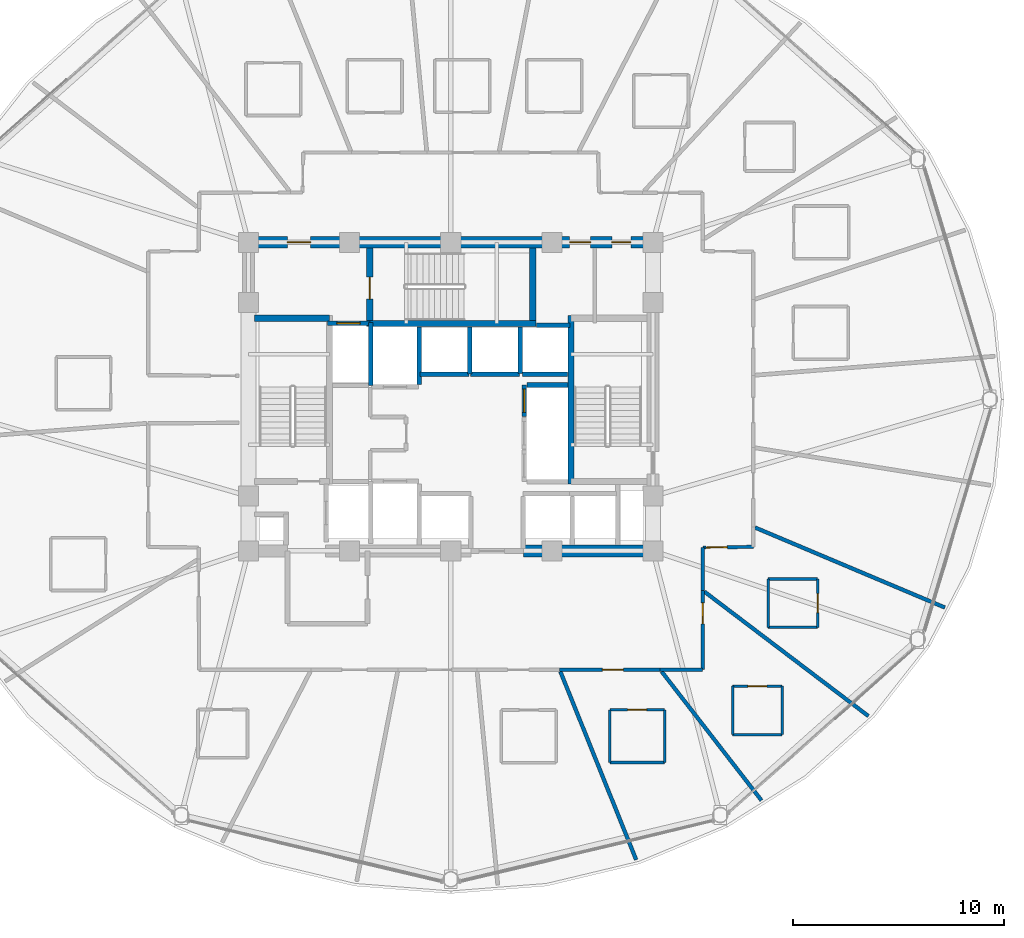
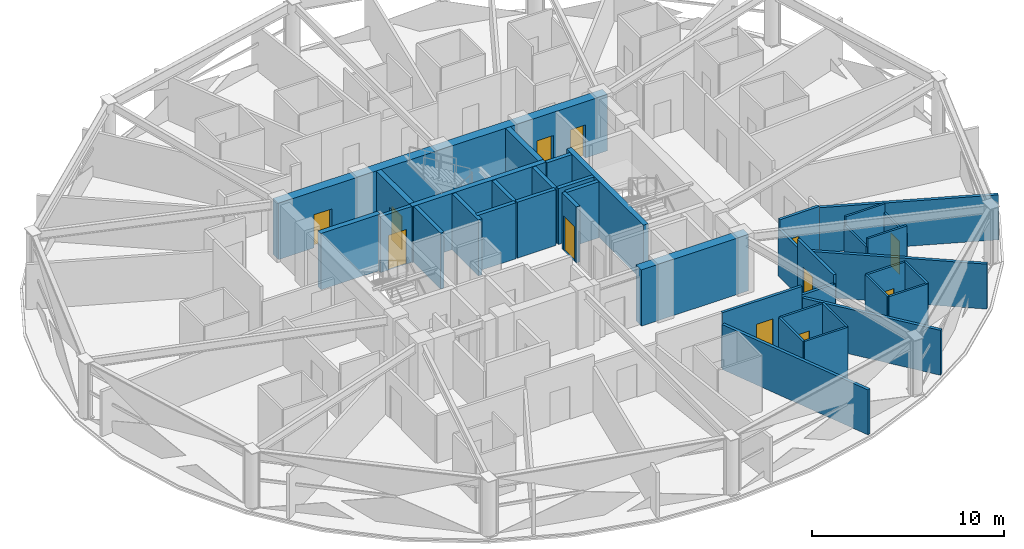
# One storey, part 26 of 32: 39 walls, 12 doors, 12 openings.
"""IFC4 building model written with IfcOpenShell, lengths in metres."""

from ifc_helpers import new_model, si_unit, direction, frame, frame_2d, origin, place, context, subcontext, project, spatial, rectangle, extrude, material, layer, layer_set, type_object, element, fill, save


model = new_model("IFC4")

# Units and contexts
model_context = context("Model", 3, precision=1e-05, world=origin(), true_north=direction((0.0, 1.0)))
body_context = subcontext(model_context, "Body", "Model", "MODEL_VIEW")
ifc_project = project(units=[si_unit("LENGTHUNIT", "METRE"), si_unit("AREAUNIT", "SQUARE_METRE"), si_unit("VOLUMEUNIT", "CUBIC_METRE"), si_unit("PLANEANGLEUNIT", "RADIAN"), si_unit("MASSUNIT", "GRAM", prefix="KILO")], contexts=[model_context])

# Site, building, storey
site_placement = place(None, origin())
site = spatial("IfcSite", under=ifc_project, at=site_placement, CompositionType="ELEMENT")
building_placement = place(site_placement, origin())
building = spatial("IfcBuilding", under=site, at=building_placement, Name="Vantalir Tower", CompositionType="ELEMENT")
storey_placement = place(building_placement, frame((0.0, 0.0, 108.449951171875)))
storey = spatial("IfcBuildingStorey", under=building, at=storey_placement, Name="L26", CompositionType="ELEMENT", Elevation=108.449951171875)

# Wall
ifc_material_1 = material(Name="Moisture-resistant en-suite partition", Category="gypsum")
ifc_layer_1 = layer(ifc_material_1, 0.125)
ifc_layer_set_1 = layer_set([ifc_layer_1], Name="Moisture-resistant en-suite partition")
wall_type_1 = type_object("IfcWallType", Name="WL-BATH-125", PredefinedType="PARTITIONING", material=ifc_layer_set_1)
wall_1_placement = place(storey_placement, frame((39.052001953125, 7.756103515625, 0.0), z_axis=(0.0, 0.0, 1.0), x_axis=(1.0, 0.0, 0.0)))
element("IfcWall", 1, at=wall_1_placement, inside=storey, type_object=wall_type_1, Name="L26 En-suite 17 South Wall", PredefinedType="PARTITIONING", context=body_context, shape_type="SweptSolid", body=[
    extrude(rectangle(XDim=2.60009765625, YDim=0.125, at=frame_2d((1.300048828125, 0.0))), origin(), (0.0, 0.0, 1.0), 3.550048828125),
])

# Wall, opening, door
wall_2_placement = place(storey_placement, frame((39.052001953125, 10.256103515625, 0.0), z_axis=(0.0, 0.0, 1.0), x_axis=(1.0, 0.0, 0.0)))
wall_2 = element("IfcWall", 2, at=wall_2_placement, inside=storey, type_object=wall_type_1, Name="L26 En-suite 17 North Wall", PredefinedType="PARTITIONING", context=body_context, shape_type="SweptSolid", body=[
    extrude(rectangle(XDim=2.60009765625, YDim=0.125, at=frame_2d((1.300048828125, 0.0))), origin(), (0.0, 0.0, 1.0), 3.550048828125),
])
opening_1_placement = place(wall_2_placement, frame((0.85009765625, 0.0, 0.0)))
opening_1 = element("IfcOpeningElement", 3, at=opening_1_placement, cuts=wall_2, Name="Opening D-WC", PredefinedType="OPENING", context=body_context, shape_type="SweptSolid", body=[
    extrude(rectangle(XDim=0.89990234375, YDim=2.10009765625, at=frame_2d((0.449951171875, 1.050048828125))), frame((0.0, 0.072509765625, 0.0), z_axis=(0.0, -1.0, 0.0), x_axis=(1.0, 0.0, 0.0)), (0.0, 0.0, 1.0), 0.14501953125),
])
ifc_material_2 = material(Name="Moisture-resistant hardwood door", Category="wood")
door_type_1 = type_object("IfcDoorType", Name="DR-ENSUITE-900", OperationType="NOTDEFINED", PredefinedType="DOOR", material=ifc_material_2)
door_1_placement = place(opening_1_placement, frame((0.89990234375, 0.0, 0.0), z_axis=(0.0, 0.0, 1.0), x_axis=(-1.0, 0.0, 0.0)))
door_1 = element("IfcDoor", 4, at=door_1_placement, inside=storey, type_object=door_type_1, Name="L26 En-suite 17 Door", OperationType="SINGLE_SWING_RIGHT", OverallHeight=2.10009765625, OverallWidth=0.89990234375, PredefinedType="DOOR", context=body_context, shape_type="SweptSolid", body=[
    extrude(rectangle(XDim=0.89990234375, YDim=2.10009765625, at=frame_2d((0.449951171875, 1.050048828125))), frame((0.0, 0.02490234375, 0.0), z_axis=(0.0, -1.0, 0.0), x_axis=(1.0, 0.0, 0.0)), (0.0, 0.0, 1.0), 0.050048828125),
])
fill(opening_1, door_1)

# Walls
for number, where, z_axis, x_axis, name in (
    (5, (39.052001953125, 7.756103515625, 0.0), (0.0, 0.0, 1.0), (0.0, 1.0, 0.0), "L26 En-suite 17 West Wall"),
    (6, (41.652099609375, 7.756103515625, 0.0), (0.0, 0.0, 1.0), (0.0, 1.0, 0.0), "L26 En-suite 17 East Wall"),
):
    element("IfcWall", number, at=place(storey_placement, frame(where, z_axis=z_axis, x_axis=x_axis)), inside=storey, type_object=wall_type_1, Name=name, PredefinedType="PARTITIONING", context=body_context, shape_type="SweptSolid", body=[
        extrude(rectangle(XDim=2.5, YDim=0.125, at=frame_2d((1.25, 0.0))), origin(), (0.0, 0.0, 1.0), 3.550048828125),
    ])
wall_3_placement = place(storey_placement, frame((44.8798828125, 9.080078125, 0.0), z_axis=(0.0, 0.0, 1.0), x_axis=(1.0, 0.0, 0.0)))
element("IfcWall", 7, at=wall_3_placement, inside=storey, type_object=wall_type_1, Name="L26 En-suite 18 South Wall", PredefinedType="PARTITIONING", context=body_context, shape_type="SweptSolid", body=[
    extrude(rectangle(XDim=2.35009765625, YDim=0.125, at=frame_2d((1.175048828125, 0.0))), origin(), (0.0, 0.0, 1.0), 3.550048828125),
])

# Wall, opening, door
wall_4_placement = place(storey_placement, frame((44.8798828125, 11.3798828125, 0.0), z_axis=(0.0, 0.0, 1.0), x_axis=(1.0, 0.0, 0.0)))
wall_4 = element("IfcWall", 8, at=wall_4_placement, inside=storey, type_object=wall_type_1, Name="L26 En-suite 18 North Wall", PredefinedType="PARTITIONING", context=body_context, shape_type="SweptSolid", body=[
    extrude(rectangle(XDim=2.35009765625, YDim=0.125, at=frame_2d((1.175048828125, 0.0))), origin(), (0.0, 0.0, 1.0), 3.550048828125),
])
opening_2_placement = place(wall_4_placement, frame((0.72509765625, 0.0, 0.0)))
opening_2 = element("IfcOpeningElement", 9, at=opening_2_placement, cuts=wall_4, Name="Opening D-WC", PredefinedType="OPENING", context=body_context, shape_type="SweptSolid", body=[
    extrude(rectangle(XDim=0.89990234375, YDim=2.10009765625, at=frame_2d((0.449951171875, 1.050048828125))), frame((0.0, 0.072509765625, 0.0), z_axis=(0.0, -1.0, 0.0), x_axis=(1.0, 0.0, 0.0)), (0.0, 0.0, 1.0), 0.14501953125),
])
door_2_placement = place(opening_2_placement, frame((0.89990234375, 0.0, 0.0), z_axis=(0.0, 0.0, 1.0), x_axis=(-1.0, 0.0, 0.0)))
door_2 = element("IfcDoor", 10, at=door_2_placement, inside=storey, type_object=door_type_1, Name="L26 En-suite 18 Door", OperationType="SINGLE_SWING_LEFT", OverallHeight=2.10009765625, OverallWidth=0.89990234375, PredefinedType="DOOR", context=body_context, shape_type="SweptSolid", body=[
    extrude(rectangle(XDim=0.89990234375, YDim=2.10009765625, at=frame_2d((0.449951171875, 1.050048828125))), frame((0.0, 0.02490234375, 0.0), z_axis=(0.0, -1.0, 0.0), x_axis=(1.0, 0.0, 0.0)), (0.0, 0.0, 1.0), 0.050048828125),
])
fill(opening_2, door_2)

# Walls
for number, where, z_axis, x_axis, name in (
    (11, (44.8798828125, 9.080078125, 0.0), (0.0, 0.0, 1.0), (0.0, 1.0, 0.0), "L26 En-suite 18 West Wall"),
    (12, (47.22998046875, 9.080078125, 0.0), (0.0, 0.0, 1.0), (0.0, 1.0, 0.0), "L26 En-suite 18 East Wall"),
):
    element("IfcWall", number, at=place(storey_placement, frame(where, z_axis=z_axis, x_axis=x_axis)), inside=storey, type_object=wall_type_1, Name=name, PredefinedType="PARTITIONING", context=body_context, shape_type="SweptSolid", body=[
        extrude(rectangle(XDim=2.2998046875, YDim=0.125, at=frame_2d((1.14990234375, 0.0))), origin(), (0.0, 0.0, 1.0), 3.550048828125),
    ])
for number, where, z_axis, x_axis, name in (
    (13, (46.56396484375, 14.172119140625, 0.0), (0.0, 0.0, 1.0), (1.0, 0.0, 0.0), "L26 En-suite 19 South Wall"),
    (14, (46.56396484375, 16.471923828125, 0.0), (0.0, 0.0, 1.0), (1.0, 0.0, 0.0), "L26 En-suite 19 North Wall"),
):
    element("IfcWall", number, at=place(storey_placement, frame(where, z_axis=z_axis, x_axis=x_axis)), inside=storey, type_object=wall_type_1, Name=name, PredefinedType="PARTITIONING", context=body_context, shape_type="SweptSolid", body=[
        extrude(rectangle(XDim=2.35009765625, YDim=0.125, at=frame_2d((1.175048828125, 0.0))), origin(), (0.0, 0.0, 1.0), 3.550048828125),
    ])
wall_5_placement = place(storey_placement, frame((46.56396484375, 14.172119140625, 0.0), z_axis=(0.0, 0.0, 1.0), x_axis=(0.0, 1.0, 0.0)))
element("IfcWall", 15, at=wall_5_placement, inside=storey, type_object=wall_type_1, Name="L26 En-suite 19 West Wall", PredefinedType="PARTITIONING", context=body_context, shape_type="SweptSolid", body=[
    extrude(rectangle(XDim=2.2998046875, YDim=0.125, at=frame_2d((1.14990234375, 0.0))), origin(), (0.0, 0.0, 1.0), 3.006103515625),
])

# Wall, opening, door
wall_6_placement = place(storey_placement, frame((48.9140625, 14.172119140625, 0.0), z_axis=(0.0, 0.0, 1.0), x_axis=(0.0, 1.0, 0.0)))
wall_6 = element("IfcWall", 16, at=wall_6_placement, inside=storey, type_object=wall_type_1, Name="L26 En-suite 19 East Wall", PredefinedType="PARTITIONING", context=body_context, shape_type="SweptSolid", body=[
    extrude(rectangle(XDim=2.2998046875, YDim=0.125, at=frame_2d((1.14990234375, 0.0))), origin(), (0.0, 0.0, 1.0), 3.006103515625),
])
opening_3_placement = place(wall_6_placement, frame((0.699951171875, 0.0, 0.0)))
opening_3 = element("IfcOpeningElement", 17, at=opening_3_placement, cuts=wall_6, Name="Opening D-WC", PredefinedType="OPENING", context=body_context, shape_type="SweptSolid", body=[
    extrude(rectangle(XDim=0.89990234375, YDim=2.10009765625, at=frame_2d((0.449951171875, 1.050048828125))), frame((0.0, 0.072509765625, 0.0), z_axis=(0.0, -1.0, 0.0), x_axis=(1.0, 0.0, 0.0)), (0.0, 0.0, 1.0), 0.14501953125),
])
door_3_placement = place(opening_3_placement, origin())
door_3 = element("IfcDoor", 18, at=door_3_placement, inside=storey, type_object=door_type_1, Name="L26 En-suite 19 Door", OperationType="SINGLE_SWING_RIGHT", OverallHeight=2.10009765625, OverallWidth=0.89990234375, PredefinedType="DOOR", context=body_context, shape_type="SweptSolid", body=[
    extrude(rectangle(XDim=0.89990234375, YDim=2.10009765625, at=frame_2d((0.449951171875, 1.050048828125))), frame((0.0, 0.02490234375, 0.0), z_axis=(0.0, -1.0, 0.0), x_axis=(1.0, 0.0, 0.0)), (0.0, 0.0, 1.0), 0.050048828125),
])
fill(opening_3, door_3)

# Wall
ifc_material_3 = material(Name="Concrete C60/75", Category="concrete")
ifc_layer_2 = layer(ifc_material_3, 0.550048828125)
ifc_layer_set_2 = layer_set([ifc_layer_2], Name="Concrete C60/75")
wall_type_2 = type_object("IfcWallType", Name="WL-CORE-550", PredefinedType="SHEAR", material=ifc_layer_set_2)
wall_7_placement = place(storey_placement, frame((34.949951171875, 17.800048828125, 0.0), z_axis=(0.0, 0.0, 1.0), x_axis=(1.0, 0.0, 0.0)))
element("IfcWall", 19, at=wall_7_placement, inside=storey, type_object=wall_type_2, Name="L26 Core Shear Wall South-East", PredefinedType="SHEAR", context=body_context, shape_type="SweptSolid", body=[
    extrude(rectangle(XDim=6.425048828125, YDim=0.550048828125, at=frame_2d((3.21240234375, 0.0))), origin(), (0.0, 0.0, 1.0), 3.570068359375),
])

# Wall, openings, doors
wall_8_placement = place(storey_placement, frame((21.625, 32.449951171875, 0.0), z_axis=(0.0, 0.0, 1.0), x_axis=(1.0, 0.0, 0.0)))
wall_8 = element("IfcWall", 20, at=wall_8_placement, inside=storey, type_object=wall_type_2, Name="L26 Core Shear Wall North", PredefinedType="SHEAR", context=body_context, shape_type="SweptSolid", body=[
    extrude(rectangle(XDim=19.75, YDim=0.550048828125, at=frame_2d((9.875, 0.0))), origin(), (0.0, 0.0, 1.0), 3.570068359375),
])
opening_4_placement = place(wall_8_placement, frame((2.125, 0.0, 0.0)))
opening_4 = element("IfcOpeningElement", 21, at=opening_4_placement, cuts=wall_8, Name="Opening D-FFL", PredefinedType="OPENING", context=body_context, shape_type="SweptSolid", body=[
    extrude(rectangle(XDim=1.10009765625, YDim=2.10009765625, at=frame_2d((0.550048828125, 1.050048828125))), frame((0.0, 0.284912109375, 0.0), z_axis=(0.0, -1.0, 0.0), x_axis=(1.0, 0.0, 0.0)), (0.0, 0.0, 1.0), 0.570068359375),
])
opening_5_placement = place(wall_8_placement, frame((15.514892578125, 0.0, 0.0)))
opening_5 = element("IfcOpeningElement", 22, at=opening_5_placement, cuts=wall_8, Name="Opening D-GUEST", PredefinedType="OPENING", context=body_context, shape_type="SweptSolid", body=[
    extrude(rectangle(XDim=1.0, YDim=2.10009765625, at=frame_2d((0.5, 1.050048828125))), frame((0.0, 0.284912109375, 0.0), z_axis=(0.0, -1.0, 0.0), x_axis=(1.0, 0.0, 0.0)), (0.0, 0.0, 1.0), 0.570068359375),
])
opening_6_placement = place(wall_8_placement, frame((17.52490234375, 0.0, 0.0)))
opening_6 = element("IfcOpeningElement", 23, at=opening_6_placement, cuts=wall_8, Name="Opening D-CR", PredefinedType="OPENING", context=body_context, shape_type="SweptSolid", body=[
    extrude(rectangle(XDim=0.89990234375, YDim=2.10009765625, at=frame_2d((0.449951171875, 1.050048828125))), frame((0.0, 0.284912109375, 0.0), z_axis=(0.0, -1.0, 0.0), x_axis=(1.0, 0.0, 0.0)), (0.0, 0.0, 1.0), 0.570068359375),
])
ifc_material_4 = material(Name="Fire-rated steel core service door", Category="steel")
door_type_2 = type_object("IfcDoorType", Name="DR-CORE-SERV-900", OperationType="NOTDEFINED", PredefinedType="DOOR", material=ifc_material_4)
door_4_placement = place(opening_6_placement, frame((0.89990234375, 0.0, 0.0), z_axis=(0.0, 0.0, 1.0), x_axis=(-1.0, 0.0, 0.0)))
door_4 = element("IfcDoor", 24, at=door_4_placement, inside=storey, type_object=door_type_2, Name="L26 Housekeeping and Linen Room Door", OperationType="SINGLE_SWING_RIGHT", OverallHeight=2.10009765625, OverallWidth=0.89990234375, PredefinedType="DOOR", context=body_context, shape_type="SweptSolid", body=[
    extrude(rectangle(XDim=0.89990234375, YDim=2.10009765625, at=frame_2d((0.449951171875, 1.050048828125))), frame((0.0, 0.02490234375, 0.0), z_axis=(0.0, -1.0, 0.0), x_axis=(1.0, 0.0, 0.0)), (0.0, 0.0, 1.0), 0.050048828125),
])
fill(opening_6, door_4)
ifc_material_5 = material(Name="Fire-rated acoustic steel door", Category="steel")
door_type_3 = type_object("IfcDoorType", Name="DR-FIRE-LOBBY-1100", OperationType="NOTDEFINED", PredefinedType="DOOR", material=ifc_material_5)
door_5_placement = place(opening_4_placement, frame((1.10009765625, 0.0, 0.0), z_axis=(0.0, 0.0, 1.0), x_axis=(-1.0, 0.0, 0.0)))
door_5 = element("IfcDoor", 25, at=door_5_placement, inside=storey, type_object=door_type_3, Name="L26 Firefighting Lobby East Access Door", OperationType="SINGLE_SWING_RIGHT", OverallHeight=2.10009765625, OverallWidth=1.10009765625, PredefinedType="DOOR", context=body_context, shape_type="SweptSolid", body=[
    extrude(rectangle(XDim=1.10009765625, YDim=2.10009765625, at=frame_2d((0.550048828125, 1.050048828125))), frame((0.0, 0.02490234375, 0.0), z_axis=(0.0, -1.0, 0.0), x_axis=(1.0, 0.0, 0.0)), (0.0, 0.0, 1.0), 0.050048828125),
])
fill(opening_4, door_5)
ifc_material_6 = material(Name="Solid-core teak veneer acoustic fire door", Category="wood")
door_type_4 = type_object("IfcDoorType", Name="DR-GUEST-ENTRY-1000", OperationType="NOTDEFINED", PredefinedType="DOOR", material=ifc_material_6)
door_6_placement = place(opening_5_placement, frame((1.0, 0.0, 0.0), z_axis=(0.0, 0.0, 1.0), x_axis=(-1.0, 0.0, 0.0)))
door_6 = element("IfcDoor", 26, at=door_6_placement, inside=storey, type_object=door_type_4, Name="L26 High-Rise Lift Lobby Door", OperationType="SINGLE_SWING_LEFT", OverallHeight=2.10009765625, OverallWidth=1.0, PredefinedType="DOOR", context=body_context, shape_type="SweptSolid", body=[
    extrude(rectangle(XDim=1.0, YDim=2.10009765625, at=frame_2d((0.5, 1.050048828125))), frame((0.0, 0.02490234375, 0.0), z_axis=(0.0, -1.0, 0.0), x_axis=(1.0, 0.0, 0.0)), (0.0, 0.0, 1.0), 0.050048828125),
])
fill(opening_5, door_6)

# Wall, opening, door
ifc_material_7 = material(Name="Fire-rated hotel corridor acoustic partition", Category="gypsum")
ifc_layer_3 = layer(ifc_material_7, 0.159912109375)
ifc_layer_set_3 = layer_set([ifc_layer_3], Name="Fire-rated hotel corridor acoustic partition")
wall_type_3 = type_object("IfcWallType", Name="WL-CORR-160", PredefinedType="PARTITIONING", material=ifc_layer_set_3)
wall_9_placement = place(storey_placement, frame((45.864990234375, 17.99609375, 0.0), z_axis=(0.0, 0.0, 1.0), x_axis=(-0.999886678433, -0.015054245006, 0.0)))
wall_9 = element("IfcWall", 27, at=wall_9_placement, inside=storey, type_object=wall_type_3, Name="L26 Corridor Partition 26", PredefinedType="PARTITIONING", context=body_context, shape_type="SweptSolid", body=[
    extrude(rectangle(XDim=2.400146484375, YDim=0.159912109375, at=frame_2d((1.2001953125, 0.0))), origin(), (0.0, 0.0, 1.0), 3.550048828125),
])
opening_7_placement = place(wall_9_placement, frame((1.239990234375, 0.0, 0.0)))
opening_7 = element("IfcOpeningElement", 28, at=opening_7_placement, cuts=wall_9, Name="Opening D-GUEST", PredefinedType="OPENING", context=body_context, shape_type="SweptSolid", body=[
    extrude(rectangle(XDim=1.0, YDim=2.10009765625, at=frame_2d((0.5, 1.050048828125))), frame((0.0, 0.08984375, 0.0), z_axis=(0.0, -1.0, 0.0), x_axis=(1.0, 0.0, 0.0)), (0.0, 0.0, 1.0), 0.179931640625),
])
door_7_placement = place(opening_7_placement, origin())
door_7 = element("IfcDoor", 29, at=door_7_placement, inside=storey, type_object=door_type_4, Name="L26 Deluxe King Hotel Room 19 Door", OperationType="SINGLE_SWING_RIGHT", OverallHeight=2.10009765625, OverallWidth=1.0, PredefinedType="DOOR", context=body_context, shape_type="SweptSolid", body=[
    extrude(rectangle(XDim=1.0, YDim=2.10009765625, at=frame_2d((0.5, 1.050048828125))), frame((0.0, 0.02490234375, 0.0), z_axis=(0.0, -1.0, 0.0), x_axis=(1.0, 0.0, 0.0)), (0.0, 0.0, 1.0), 0.050048828125),
])
fill(opening_7, door_7)

# Wall
wall_10_placement = place(storey_placement, frame((43.465087890625, 17.9599609375, 0.0), z_axis=(0.0, 0.0, 1.0), x_axis=(-0.001080820793, -0.999999415913, 0.0)))
element("IfcWall", 30, at=wall_10_placement, inside=storey, type_object=wall_type_3, Name="L26 Corridor Partition 27", PredefinedType="PARTITIONING", context=body_context, shape_type="SweptSolid", body=[
    extrude(rectangle(XDim=2.032958984375, YDim=0.159912109375, at=frame_2d((1.0166015625, 0.0))), origin(), (0.0, 0.0, 1.0), 3.006103515625),
])

# Wall, opening, door
wall_11_placement = place(storey_placement, frame((43.462890625, 15.927001953125, 0.0), z_axis=(0.0, 0.0, 1.0), x_axis=(-0.001298953246, -0.99999915636, 0.0)))
wall_11 = element("IfcWall", 31, at=wall_11_placement, inside=storey, type_object=wall_type_3, Name="L26 Corridor Partition 28", PredefinedType="PARTITIONING", context=body_context, shape_type="SweptSolid", body=[
    extrude(rectangle(XDim=3.759033203125, YDim=0.159912109375, at=frame_2d((1.87939453125, 0.0))), origin(), (0.0, 0.0, 1.0), 3.550048828125),
])
opening_8_placement = place(wall_11_placement, frame((0.590087890625, 0.0, 0.0)))
opening_8 = element("IfcOpeningElement", 32, at=opening_8_placement, cuts=wall_11, Name="Opening D-GUEST", PredefinedType="OPENING", context=body_context, shape_type="SweptSolid", body=[
    extrude(rectangle(XDim=1.0, YDim=2.10009765625, at=frame_2d((0.5, 1.050048828125))), frame((0.0, 0.08984375, 0.0), z_axis=(0.0, -1.0, 0.0), x_axis=(1.0, 0.0, 0.0)), (0.0, 0.0, 1.0), 0.179931640625),
])
door_8_placement = place(opening_8_placement, origin())
door_8 = element("IfcDoor", 33, at=door_8_placement, inside=storey, type_object=door_type_4, Name="L26 Twin Queen Hotel Room 18 Door", OperationType="SINGLE_SWING_LEFT", OverallHeight=2.10009765625, OverallWidth=1.0, PredefinedType="DOOR", context=body_context, shape_type="SweptSolid", body=[
    extrude(rectangle(XDim=1.0, YDim=2.10009765625, at=frame_2d((0.5, 1.050048828125))), frame((0.0, 0.02490234375, 0.0), z_axis=(0.0, -1.0, 0.0), x_axis=(1.0, 0.0, 0.0)), (0.0, 0.0, 1.0), 0.050048828125),
])
fill(opening_8, door_8)

# Wall
wall_12_placement = place(storey_placement, frame((43.4580078125, 12.16796875, 0.0), z_axis=(0.0, 0.0, 1.0), x_axis=(-0.999999882802, -0.000484144218, 0.0)))
element("IfcWall", 34, at=wall_12_placement, inside=storey, type_object=wall_type_3, Name="L26 Corridor Partition 29", PredefinedType="PARTITIONING", context=body_context, shape_type="SweptSolid", body=[
    extrude(rectangle(XDim=2.01708984375, YDim=0.159912109375, at=frame_2d((1.008544921875, 0.0))), origin(), (0.0, 0.0, 1.0), 3.006103515625),
])

# Wall, opening, door
wall_13_placement = place(storey_placement, frame((41.44091796875, 12.1669921875, 0.0), z_axis=(0.0, 0.0, 1.0), x_axis=(-0.999999916275, -0.000409207127, 0.0)))
wall_13 = element("IfcWall", 35, at=wall_13_placement, inside=storey, type_object=wall_type_3, Name="L26 Corridor Partition 30", PredefinedType="PARTITIONING", context=body_context, shape_type="SweptSolid", body=[
    extrude(rectangle(XDim=4.77294921875, YDim=0.159912109375, at=frame_2d((2.386474609375, 0.0))), origin(), (0.0, 0.0, 1.0), 3.550048828125),
])
opening_9_placement = place(wall_13_placement, frame((1.742919921875, 0.0, 0.0)))
opening_9 = element("IfcOpeningElement", 36, at=opening_9_placement, cuts=wall_13, Name="Opening D-GUEST", PredefinedType="OPENING", context=body_context, shape_type="SweptSolid", body=[
    extrude(rectangle(XDim=1.0, YDim=2.10009765625, at=frame_2d((0.5, 1.050048828125))), frame((0.0, 0.08984375, 0.0), z_axis=(0.0, -1.0, 0.0), x_axis=(1.0, 0.0, 0.0)), (0.0, 0.0, 1.0), 0.179931640625),
])
door_9_placement = place(opening_9_placement, origin())
door_9 = element("IfcDoor", 37, at=door_9_placement, inside=storey, type_object=door_type_4, Name="L26 Twin Queen Hotel Room 17 Door", OperationType="SINGLE_SWING_RIGHT", OverallHeight=2.10009765625, OverallWidth=1.0, PredefinedType="DOOR", context=body_context, shape_type="SweptSolid", body=[
    extrude(rectangle(XDim=1.0, YDim=2.10009765625, at=frame_2d((0.5, 1.050048828125))), frame((0.0, 0.02490234375, 0.0), z_axis=(0.0, -1.0, 0.0), x_axis=(1.0, 0.0, 0.0)), (0.0, 0.0, 1.0), 0.050048828125),
])
fill(opening_9, door_9)

# Walls
ifc_material_8 = material(Name="Concrete blockwork with fireboard lining", Category="masonry")
ifc_layer_4 = layer(ifc_material_8, 0.219970703125)
ifc_layer_set_4 = layer_set([ifc_layer_4], Name="Concrete blockwork with fireboard lining")
wall_type_4 = type_object("IfcWallType", Name="WL-FFL-220", PredefinedType="PARTITIONING", material=ifc_layer_set_4)
wall_14_placement = place(storey_placement, frame((30.0, 25.7099609375, 0.0), z_axis=(0.0, 0.0, 1.0), x_axis=(0.0, 1.0, 0.0)))
element("IfcWall", 38, at=wall_14_placement, inside=storey, type_object=wall_type_4, Name="L26 Service Lift SV2 East Shaft Wall", PredefinedType="PARTITIONING", context=body_context, shape_type="SweptSolid", body=[
    extrude(rectangle(XDim=2.72998046875, YDim=0.219970703125, at=frame_2d((1.364990234375, 0.0))), origin(), (0.0, 0.0, 1.0), 3.545166015625),
])
wall_15_placement = place(storey_placement, frame((32.39990234375, 26.199951171875, 0.0), z_axis=(0.0, 0.0, 1.0), x_axis=(0.0, 1.0, 0.0)))
element("IfcWall", 39, at=wall_15_placement, inside=storey, type_object=wall_type_4, Name="L26 High-Rise Lift PL-H1/H2 Shaft Divider", PredefinedType="PARTITIONING", context=body_context, shape_type="SweptSolid", body=[
    extrude(rectangle(XDim=2.239990234375, YDim=0.219970703125, at=frame_2d((1.1201171875, 0.0))), origin(), (0.0, 0.0, 1.0), 3.545166015625),
])
wall_16_placement = place(storey_placement, frame((34.800048828125, 26.22998046875, 0.0), z_axis=(0.0, 0.0, 1.0), x_axis=(0.0, 1.0, 0.0)))
element("IfcWall", 40, at=wall_16_placement, inside=storey, type_object=wall_type_4, Name="L26 High-Rise Lift PL-H2/H3 Shaft Divider", PredefinedType="PARTITIONING", context=body_context, shape_type="SweptSolid", body=[
    extrude(rectangle(XDim=2.2099609375, YDim=0.219970703125, at=frame_2d((1.10498046875, 0.0))), origin(), (0.0, 0.0, 1.0), 3.545166015625),
])
wall_17_placement = place(storey_placement, frame((34.909912109375, 26.18994140625, 0.0), z_axis=(0.0, 0.0, 1.0), x_axis=(1.0, 0.0, 0.0)))
element("IfcWall", 41, at=wall_17_placement, inside=storey, type_object=wall_type_4, Name="L26 High-Rise Lift PL-H3 Rear Shaft Wall", PredefinedType="PARTITIONING", context=body_context, shape_type="SweptSolid", body=[
    extrude(rectangle(XDim=2.14013671875, YDim=0.219970703125, at=frame_2d((1.070068359375, 0.0))), origin(), (0.0, 0.0, 1.0), 3.545166015625),
])

# Wall, opening, door
wall_18_placement = place(storey_placement, frame((25.639892578125, 28.610107421875, 0.0), z_axis=(0.0, 0.0, 1.0), x_axis=(1.0, 0.0, 0.0)))
wall_18 = element("IfcWall", 42, at=wall_18_placement, inside=storey, type_object=wall_type_4, Name="L26 Lift FL2 Shaft Front Wall", PredefinedType="PARTITIONING", context=body_context, shape_type="SweptSolid", body=[
    extrude(rectangle(XDim=2.02001953125, YDim=0.219970703125, at=frame_2d((1.010009765625, 0.0))), origin(), (0.0, 0.0, 1.0), 3.550048828125),
])
opening_10_placement = place(wall_18_placement, frame((0.4599609375, 0.0, 0.0)))
opening_10 = element("IfcOpeningElement", 43, at=opening_10_placement, cuts=wall_18, Name="Opening LD-FL2", PredefinedType="OPENING", context=body_context, shape_type="SweptSolid", body=[
    extrude(rectangle(XDim=1.10009765625, YDim=2.199951171875, at=frame_2d((0.550048828125, 1.10009765625))), frame((0.0, 0.119873046875, 0.0), z_axis=(0.0, -1.0, 0.0), x_axis=(1.0, 0.0, 0.0)), (0.0, 0.0, 1.0), 0.239990234375),
])
ifc_material_9 = material(Name="Brushed stainless-steel sliding lift landing door", Category="steel")
door_type_5 = type_object("IfcDoorType", Name="DR-LIFT-LANDING-1100", OperationType="DOUBLE_DOOR_SLIDING", PredefinedType="DOOR", material=ifc_material_9)
door_10_placement = place(opening_10_placement, origin())
door_10 = element("IfcDoor", 44, at=door_10_placement, inside=storey, type_object=door_type_5, Name="L26 Lift Landing Door FL2", OperationType="DOUBLE_DOOR_SLIDING", OverallHeight=2.199951171875, OverallWidth=1.10009765625, PredefinedType="DOOR", context=body_context, shape_type="SweptSolid", body=[
    extrude(rectangle(XDim=1.10009765625, YDim=2.199951171875, at=frame_2d((0.550048828125, 1.10009765625))), frame((0.0, 0.02490234375, 0.0), z_axis=(0.0, -1.0, 0.0), x_axis=(1.0, 0.0, 0.0)), (0.0, 0.0, 1.0), 0.050048828125),
])
fill(opening_10, door_10)

# Walls
for number, where, z_axis, x_axis, name in (
    (45, (30.0400390625, 26.18994140625, 0.0), (0.0, 0.0, 1.0), (1.0, 0.0, 0.0), "L26 Lift PL-H1 Shaft Front Wall"),
    (46, (32.43994140625, 26.18994140625, 0.0), (0.0, 0.0, 1.0), (1.0, 0.0, 0.0), "L26 Lift PL-H2 Shaft Front Wall"),
):
    element("IfcWall", number, at=place(storey_placement, frame(where, z_axis=z_axis, x_axis=x_axis)), inside=storey, type_object=wall_type_4, Name=name, PredefinedType="PARTITIONING", context=body_context, shape_type="SweptSolid", body=[
        extrude(rectangle(XDim=2.320068359375, YDim=0.219970703125, at=frame_2d((1.16015625, 0.0))), origin(), (0.0, 0.0, 1.0), 3.550048828125),
    ])
wall_19_placement = place(storey_placement, frame((35.56005859375, 28.510009765625, 0.0), z_axis=(0.0, 0.0, 1.0), x_axis=(1.0, 0.0, 0.0)))
element("IfcWall", 47, at=wall_19_placement, inside=storey, type_object=wall_type_4, Name="L26 Lift PL-H3 Shaft Front Wall", PredefinedType="PARTITIONING", context=body_context, shape_type="SweptSolid", body=[
    extrude(rectangle(XDim=1.599853515625, YDim=0.219970703125, at=frame_2d((0.7998046875, 0.0))), origin(), (0.0, 0.0, 1.0), 3.550048828125),
])

# Wall, opening, door
wall_20_placement = place(storey_placement, frame((34.989990234375, 24.179931640625, 0.0), z_axis=(0.0, 0.0, 1.0), x_axis=(0.0, 1.0, 0.0)))
wall_20 = element("IfcWall", 48, at=wall_20_placement, inside=storey, type_object=wall_type_4, Name="L26 Lift PL-M3 Shaft Front Wall", PredefinedType="PARTITIONING", context=body_context, shape_type="SweptSolid", body=[
    extrude(rectangle(XDim=1.5, YDim=0.219970703125, at=frame_2d((0.75, 0.0))), origin(), (0.0, 0.0, 1.0), 3.550048828125),
])
opening_11_placement = place(wall_20_placement, frame((0.199951171875, 0.0, 0.0)))
opening_11 = element("IfcOpeningElement", 49, at=opening_11_placement, cuts=wall_20, Name="Opening LD-PL-M3", PredefinedType="OPENING", context=body_context, shape_type="SweptSolid", body=[
    extrude(rectangle(XDim=1.10009765625, YDim=2.199951171875, at=frame_2d((0.550048828125, 1.10009765625))), frame((0.0, 0.119873046875, 0.0), z_axis=(0.0, -1.0, 0.0), x_axis=(1.0, 0.0, 0.0)), (0.0, 0.0, 1.0), 0.239990234375),
])
door_11_placement = place(opening_11_placement, origin())
door_11 = element("IfcDoor", 50, at=door_11_placement, inside=storey, type_object=door_type_5, Name="L26 Lift Landing Door PL-M3", OperationType="DOUBLE_DOOR_SLIDING", OverallHeight=2.199951171875, OverallWidth=1.10009765625, PredefinedType="DOOR", context=body_context, shape_type="SweptSolid", body=[
    extrude(rectangle(XDim=1.10009765625, YDim=2.199951171875, at=frame_2d((0.550048828125, 1.10009765625))), frame((0.0, 0.02490234375, 0.0), z_axis=(0.0, -1.0, 0.0), x_axis=(1.0, 0.0, 0.0)), (0.0, 0.0, 1.0), 0.050048828125),
])
fill(opening_11, door_11)

# Walls
wall_21_placement = place(storey_placement, frame((27.699951171875, 25.64990234375, 0.0), z_axis=(0.0, 0.0, 1.0), x_axis=(0.0, 1.0, 0.0)))
element("IfcWall", 51, at=wall_21_placement, inside=storey, type_object=wall_type_4, Name="L26 Fire Lift FL2 Dividing Wall", PredefinedType="PARTITIONING", context=body_context, shape_type="SweptSolid", body=[
    extrude(rectangle(XDim=3.0, YDim=0.219970703125, at=frame_2d((1.5, 0.0))), origin(), (0.0, 0.0, 1.0), 3.550048828125),
])
wall_22_placement = place(storey_placement, frame((35.1201171875, 25.679931640625, 0.0), z_axis=(0.0, 0.0, 1.0), x_axis=(1.0, 0.0, 0.0)))
element("IfcWall", 52, at=wall_22_placement, inside=storey, type_object=wall_type_4, Name="L26 Mid-Rise Bank North Wall", PredefinedType="PARTITIONING", context=body_context, shape_type="SweptSolid", body=[
    extrude(rectangle(XDim=1.93994140625, YDim=0.219970703125, at=frame_2d((0.969970703125, 0.0))), origin(), (0.0, 0.0, 1.0), 3.550048828125),
])
ifc_material_10 = material(Name="Twin-stud acoustic fire-rated gypsum partition", Category="gypsum")
ifc_layer_5 = layer(ifc_material_10, 0.179931640625)
ifc_layer_set_5 = layer_set([ifc_layer_5], Name="Twin-stud acoustic fire-rated gypsum partition")
wall_type_5 = type_object("IfcWallType", Name="WL-GUEST-180", PredefinedType="PARTITIONING", material=ifc_layer_set_5)
wall_23_placement = place(storey_placement, frame((36.7041015625, 12.074951171875, 0.0), z_axis=(0.0, 0.0, 1.0), x_axis=(0.373578740761, -0.927598471566, 0.0)))
element("IfcWall", 53, at=wall_23_placement, inside=storey, type_object=wall_type_5, Name="L26 Radial Suite Partition 17", PredefinedType="PARTITIONING", context=body_context, shape_type="SweptSolid", body=[
    extrude(rectangle(XDim=9.633544921875, YDim=0.179931640625, at=frame_2d((4.81689453125, 0.0))), origin(), (0.0, 0.0, 1.0), 2.85107421875),
])
wall_24_placement = place(storey_placement, frame((41.511962890625, 12.074951171875, 0.0), z_axis=(0.0, 0.0, 1.0), x_axis=(0.612441066245, -0.79051624928, 0.0)))
element("IfcWall", 54, at=wall_24_placement, inside=storey, type_object=wall_type_5, Name="L26 Radial Suite Partition 18", PredefinedType="PARTITIONING", context=body_context, shape_type="SweptSolid", body=[
    extrude(rectangle(XDim=7.73779296875, YDim=0.179931640625, at=frame_2d((3.868896484375, 0.0))), origin(), (0.0, 0.0, 1.0), 2.85107421875),
])
wall_25_placement = place(storey_placement, frame((43.5400390625, 15.867919921875, 0.0), z_axis=(0.0, 0.0, 1.0), x_axis=(0.796739781995, -0.604322529604, 0.0)))
element("IfcWall", 55, at=wall_25_placement, inside=storey, type_object=wall_type_5, Name="L26 Radial Suite Partition 19", PredefinedType="PARTITIONING", context=body_context, shape_type="SweptSolid", body=[
    extrude(rectangle(XDim=9.776123046875, YDim=0.179931640625, at=frame_2d((4.88818359375, 0.0))), origin(), (0.0, 0.0, 1.0), 2.85107421875),
])
wall_26_placement = place(storey_placement, frame((45.93994140625, 18.9140625, 0.0), z_axis=(0.0, 0.0, 1.0), x_axis=(0.921481698678, -0.388421779773, 0.0)))
element("IfcWall", 56, at=wall_26_placement, inside=storey, type_object=wall_type_5, Name="L26 Radial Suite Partition 20", PredefinedType="PARTITIONING", context=body_context, shape_type="SweptSolid", body=[
    extrude(rectangle(XDim=9.783203125, YDim=0.179931640625, at=frame_2d((4.8916015625, 0.0))), origin(), (0.0, 0.0, 1.0), 2.85107421875),
])
ifc_material_11 = material(Name="Concrete C50/60", Category="concrete")
ifc_layer_6 = layer(ifc_material_11, 0.300048828125)
ifc_layer_set_6 = layer_set([ifc_layer_6], Name="Concrete C50/60")
wall_type_6 = type_object("IfcWallType", Name="WL-STAIR-300", PredefinedType="SHEAR", material=ifc_layer_set_6)
wall_27_placement = place(storey_placement, frame((22.175048828125, 28.85009765625, 0.0), z_axis=(0.0, 0.0, 1.0), x_axis=(1.0, 0.0, 0.0)))
element("IfcWall", 57, at=wall_27_placement, inside=storey, type_object=wall_type_6, Name="L26 Stair ST1 North Wall", PredefinedType="SHEAR", context=body_context, shape_type="SweptSolid", body=[
    extrude(rectangle(XDim=3.56494140625, YDim=0.300048828125, at=frame_2d((1.782470703125, 0.0))), origin(), (0.0, 0.0, 1.0), 3.570068359375),
])
wall_28_placement = place(storey_placement, frame((37.2099609375, 20.97998046875, 0.0), z_axis=(0.0, 0.0, 1.0), x_axis=(0.0, 1.0, 0.0)))
element("IfcWall", 58, at=wall_28_placement, inside=storey, type_object=wall_type_6, Name="L26 Stair ST2 West Wall", PredefinedType="SHEAR", context=body_context, shape_type="SweptSolid", body=[
    extrude(rectangle(XDim=7.989990234375, YDim=0.300048828125, at=frame_2d((3.9951171875, 0.0))), origin(), (0.0, 0.0, 1.0), 3.570068359375),
])
wall_29_placement = place(storey_placement, frame((27.510009765625, 28.60009765625, 0.0), z_axis=(0.0, 0.0, 1.0), x_axis=(1.0, 0.0, 0.0)))
element("IfcWall", 59, at=wall_29_placement, inside=storey, type_object=wall_type_6, Name="L26 Stair ST3 South Wall", PredefinedType="SHEAR", context=body_context, shape_type="SweptSolid", body=[
    extrude(rectangle(XDim=8.030029296875, YDim=0.300048828125, at=frame_2d((4.01513671875, 0.0))), origin(), (0.0, 0.0, 1.0), 3.570068359375),
])

# Wall, opening, door
wall_30_placement = place(storey_placement, frame((27.64990234375, 28.75, 0.0), z_axis=(0.0, 0.0, 1.0), x_axis=(0.0, 1.0, 0.0)))
wall_30 = element("IfcWall", 60, at=wall_30_placement, inside=storey, type_object=wall_type_6, Name="L26 Stair ST3 West Wall", PredefinedType="SHEAR", context=body_context, shape_type="SweptSolid", body=[
    extrude(rectangle(XDim=3.425048828125, YDim=0.300048828125, at=frame_2d((1.71240234375, 0.0))), origin(), (0.0, 0.0, 1.0), 3.570068359375),
])
opening_12_placement = place(wall_30_placement, frame((1.0, 0.0, 0.0)))
opening_12 = element("IfcOpeningElement", 61, at=opening_12_placement, cuts=wall_30, Name="Opening D-ST", PredefinedType="OPENING", context=body_context, shape_type="SweptSolid", body=[
    extrude(rectangle(XDim=1.050048828125, YDim=2.10009765625, at=frame_2d((0.52490234375, 1.050048828125))), frame((0.0, 0.159912109375, 0.0), z_axis=(0.0, -1.0, 0.0), x_axis=(1.0, 0.0, 0.0)), (0.0, 0.0, 1.0), 0.320068359375),
])
ifc_material_12 = material(Name="Fire-rated steel door leaf", Category="steel")
door_type_6 = type_object("IfcDoorType", Name="DR-FIRE-STAIR-1050", OperationType="NOTDEFINED", PredefinedType="DOOR", material=ifc_material_12)
door_12_placement = place(opening_12_placement, frame((1.050048828125, 0.0, 0.0), z_axis=(0.0, 0.0, 1.0), x_axis=(-1.0, 0.0, 0.0)))
door_12 = element("IfcDoor", 62, at=door_12_placement, inside=storey, type_object=door_type_6, Name="L26 Exit Stair ST3 Fire Door", OperationType="SINGLE_SWING_LEFT", OverallHeight=2.10009765625, OverallWidth=1.050048828125, PredefinedType="DOOR", context=body_context, shape_type="SweptSolid", body=[
    extrude(rectangle(XDim=1.050048828125, YDim=2.10009765625, at=frame_2d((0.52490234375, 1.050048828125))), frame((0.0, 0.02490234375, 0.0), z_axis=(0.0, -1.0, 0.0), x_axis=(1.0, 0.0, 0.0)), (0.0, 0.0, 1.0), 0.050048828125),
])
fill(opening_12, door_12)

# Wall
wall_31_placement = place(storey_placement, frame((35.39990234375, 28.75, 0.0), z_axis=(0.0, 0.0, 1.0), x_axis=(0.0, 1.0, 0.0)))
element("IfcWall", 63, at=wall_31_placement, inside=storey, type_object=wall_type_6, Name="L26 Stair ST3 East Wall", PredefinedType="SHEAR", context=body_context, shape_type="SweptSolid", body=[
    extrude(rectangle(XDim=3.425048828125, YDim=0.300048828125, at=frame_2d((1.71240234375, 0.0))), origin(), (0.0, 0.0, 1.0), 3.570068359375),
])

save(model, "model.ifc")
